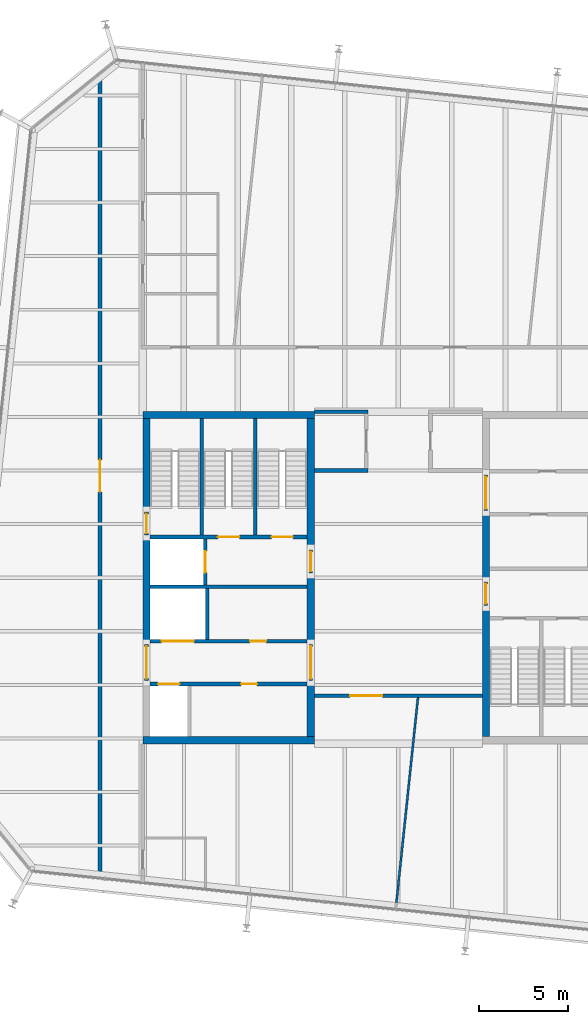
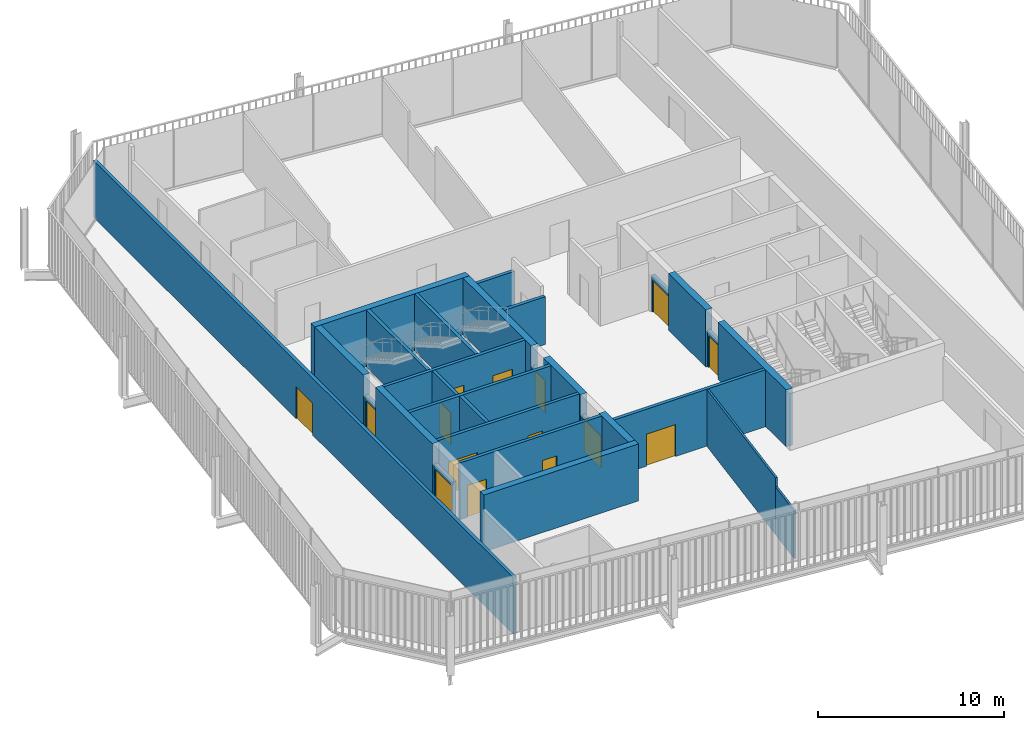
# One storey, part 16 of 20: 29 walls, 15 doors, 15 openings.
"""IFC4 building model written with IfcOpenShell, lengths in metres."""

from ifc_helpers import new_model, si_unit, direction, frame, frame_2d, origin, place, context, subcontext, project, spatial, rectangle, extrude, material, layer, layer_set, type_object, element, fill, save


model = new_model("IFC4")

# Units and contexts
model_context = context("Model", 3, precision=1e-05, world=origin(), true_north=direction((0.0, 1.0)))
body_context = subcontext(model_context, "Body", "Model", "MODEL_VIEW")
ifc_project = project(units=[si_unit("LENGTHUNIT", "METRE"), si_unit("AREAUNIT", "SQUARE_METRE"), si_unit("VOLUMEUNIT", "CUBIC_METRE"), si_unit("PLANEANGLEUNIT", "RADIAN"), si_unit("MASSUNIT", "GRAM", prefix="KILO")], contexts=[model_context])

# Site, building, storey
site_placement = place(None, origin())
site = spatial("IfcSite", under=ifc_project, at=site_placement, CompositionType="ELEMENT")
building_placement = place(site_placement, origin())
building = spatial("IfcBuilding", under=site, at=building_placement, Name="Millrace Tower", CompositionType="ELEMENT")
storey_placement = place(building_placement, frame((0.0, 0.0, 330.39990234375)))
storey = spatial("IfcBuildingStorey", under=building, at=storey_placement, Name="L76", CompositionType="ELEMENT", Elevation=330.39990234375)

# Walls
ifc_material_1 = material(Name="Concrete C60", Category="concrete")
ifc_layer_1 = layer(ifc_material_1, 0.39990234375)
ifc_layer_set_1 = layer_set([ifc_layer_1], Name="Concrete C60")
wall_type_1 = type_object("IfcWallType", Name="Core wall 400 Concrete C60", PredefinedType="SHEAR", material=ifc_layer_set_1)
for number, where, z_axis, x_axis, name in (
    (1, (-14.300048828125, -9.10009765625, 0.0), (0.0, 0.0, 1.0), (1.0, 0.0, 0.0), "Core wall W L76"),
    (2, (-14.300048828125, 9.10009765625, 0.0), (0.0, 0.0, 1.0), (1.0, 0.0, 0.0), "Core wall W L76"),
):
    element("IfcWall", number, at=place(storey_placement, frame(where, z_axis=z_axis, x_axis=x_axis)), inside=storey, type_object=wall_type_1, Name=name, PredefinedType="SHEAR", context=body_context, shape_type="SweptSolid", body=[
        extrude(rectangle(XDim=9.60009765625, YDim=0.39990234375, at=frame_2d((4.800048828125, 0.0))), origin(), (0.0, 0.0, 1.0), 3.739990234375),
    ])
wall_1_placement = place(storey_placement, frame((-14.10009765625, -3.75, 0.0), z_axis=(0.0, 0.0, 1.0), x_axis=(0.0, 1.0, 0.0)))
element("IfcWall", 3, at=wall_1_placement, inside=storey, type_object=wall_type_1, Name="Core wall W L76", PredefinedType="SHEAR", context=body_context, shape_type="SweptSolid", body=[
    extrude(rectangle(XDim=6.1298828125, YDim=0.39990234375, at=frame_2d((3.06494140625, 0.0))), origin(), (0.0, 0.0, 1.0), 3.739990234375),
])
wall_2_placement = place(storey_placement, frame((-14.10009765625, 3.679931640625, 0.0), z_axis=(0.0, 0.0, 1.0), x_axis=(0.0, 1.0, 0.0)))
element("IfcWall", 4, at=wall_2_placement, inside=storey, type_object=wall_type_1, Name="Core wall W L76", PredefinedType="SHEAR", context=body_context, shape_type="SweptSolid", body=[
    extrude(rectangle(XDim=5.219970703125, YDim=0.39990234375, at=frame_2d((2.60986328125, 0.0))), origin(), (0.0, 0.0, 1.0), 3.739990234375),
])
wall_3_placement = place(storey_placement, frame((-4.89990234375, -8.89990234375, 0.0), z_axis=(0.0, 0.0, 1.0), x_axis=(0.0, 1.0, 0.0)))
element("IfcWall", 5, at=wall_3_placement, inside=storey, type_object=wall_type_1, Name="Core wall W L76", PredefinedType="SHEAR", context=body_context, shape_type="SweptSolid", body=[
    extrude(rectangle(XDim=3.14990234375, YDim=0.39990234375, at=frame_2d((1.574951171875, 0.0))), origin(), (0.0, 0.0, 1.0), 3.739990234375),
])
wall_4_placement = place(storey_placement, frame((-4.89990234375, -3.75, 0.0), z_axis=(0.0, 0.0, 1.0), x_axis=(0.0, 1.0, 0.0)))
element("IfcWall", 6, at=wall_4_placement, inside=storey, type_object=wall_type_1, Name="Core wall W L76", PredefinedType="SHEAR", context=body_context, shape_type="SweptSolid", body=[
    extrude(rectangle(XDim=4.0, YDim=0.39990234375, at=frame_2d((2.0, 0.0))), origin(), (0.0, 0.0, 1.0), 3.739990234375),
])
wall_5_placement = place(storey_placement, frame((-4.89990234375, 1.550048828125, 0.0), z_axis=(0.0, 0.0, 1.0), x_axis=(0.0, 1.0, 0.0)))
element("IfcWall", 7, at=wall_5_placement, inside=storey, type_object=wall_type_1, Name="Core wall W L76", PredefinedType="SHEAR", context=body_context, shape_type="SweptSolid", body=[
    extrude(rectangle(XDim=7.349853515625, YDim=0.39990234375, at=frame_2d((3.6748046875, 0.0))), origin(), (0.0, 0.0, 1.0), 3.739990234375),
])
wall_6_placement = place(storey_placement, frame((4.89990234375, 3.75, 0.0), z_axis=(0.0, 0.0, 1.0), x_axis=(0.0, -1.0, 0.0)))
element("IfcWall", 8, at=wall_6_placement, inside=storey, type_object=wall_type_1, Name="Core wall E L76", PredefinedType="SHEAR", context=body_context, shape_type="SweptSolid", body=[
    extrude(rectangle(XDim=4.0, YDim=0.39990234375, at=frame_2d((2.0, 0.0))), origin(), (0.0, 0.0, 1.0), 3.739990234375),
])
wall_7_placement = place(storey_placement, frame((4.89990234375, -1.550048828125, 0.0), z_axis=(0.0, 0.0, 1.0), x_axis=(0.0, -1.0, 0.0)))
element("IfcWall", 9, at=wall_7_placement, inside=storey, type_object=wall_type_1, Name="Core wall E L76", PredefinedType="SHEAR", context=body_context, shape_type="SweptSolid", body=[
    extrude(rectangle(XDim=7.349853515625, YDim=0.39990234375, at=frame_2d((3.6748046875, 0.0))), origin(), (0.0, 0.0, 1.0), 3.739990234375),
])

# Wall, opening, door
ifc_material_2 = material(Name="Masonry partition, fire-rated", Category="masonry")
ifc_layer_2 = layer(ifc_material_2, 0.199951171875)
ifc_layer_set_2 = layer_set([ifc_layer_2], Name="Masonry partition, fire-rated")
wall_type_2 = type_object("IfcWallType", Name="Corridor wall 200", PredefinedType="PARTITIONING", material=ifc_layer_set_2)
wall_8_placement = place(storey_placement, frame((-4.699951171875, -6.60009765625, 0.0), z_axis=(0.0, 0.0, 1.0), x_axis=(1.0, 0.0, 0.0)))
wall_8 = element("IfcWall", 10, at=wall_8_placement, inside=storey, type_object=wall_type_2, Name="Corridor wall L76", PredefinedType="PARTITIONING", context=body_context, shape_type="SweptSolid", body=[
    extrude(rectangle(XDim=9.39990234375, YDim=0.199951171875, at=frame_2d((4.699951171875, 0.0))), origin(), (0.0, 0.0, 1.0), 3.739990234375),
])
opening_1_placement = place(wall_8_placement, frame((2.0048828125, 0.0, 0.0)))
opening_1 = element("IfcOpeningElement", 11, at=opening_1_placement, cuts=wall_8, Name="Opening 76-P012", PredefinedType="OPENING", context=body_context, shape_type="SweptSolid", body=[
    extrude(rectangle(XDim=1.800048828125, YDim=2.10009765625, at=frame_2d((0.89990234375, 1.050048828125))), frame((0.0, 0.10986328125, 0.0), z_axis=(0.0, -1.0, 0.0), x_axis=(1.0, 0.0, 0.0)), (0.0, 0.0, 1.0), 0.219970703125),
])
ifc_material_3 = material(Name="Steel door set, fire-rated", Category="steel")
door_type_1 = type_object("IfcDoorType", Name="Corridor door 1800 x 2100", OperationType="DOUBLE_DOOR_SINGLE_SWING", PredefinedType="DOOR", material=ifc_material_3)
door_1_placement = place(opening_1_placement, frame((1.800048828125, 0.0, 0.0), z_axis=(0.0, 0.0, 1.0), x_axis=(-1.0, 0.0, 0.0)))
door_1 = element("IfcDoor", 12, at=door_1_placement, inside=storey, type_object=door_type_1, Name="Door 76-P012", OperationType="DOUBLE_DOOR_SINGLE_SWING", OverallHeight=2.10009765625, OverallWidth=1.800048828125, PredefinedType="DOOR", context=body_context, shape_type="SweptSolid", body=[
    extrude(rectangle(XDim=1.800048828125, YDim=2.10009765625, at=frame_2d((0.89990234375, 1.050048828125))), frame((0.0, 0.02490234375, 0.0), z_axis=(0.0, -1.0, 0.0), x_axis=(1.0, 0.0, 0.0)), (0.0, 0.0, 1.0), 0.050048828125),
])
fill(opening_1, door_1)

# Walls
wall_9_placement = place(storey_placement, frame((-4.699951171875, 6.0, 0.0), z_axis=(0.0, 0.0, 1.0), x_axis=(1.0, 0.0, 0.0)))
element("IfcWall", 13, at=wall_9_placement, inside=storey, type_object=wall_type_2, Name="Corridor wall L76", PredefinedType="PARTITIONING", context=body_context, shape_type="SweptSolid", body=[
    extrude(rectangle(XDim=3.0, YDim=0.199951171875, at=frame_2d((1.5, 0.0))), origin(), (0.0, 0.0, 1.0), 3.140625),
])
wall_10_placement = place(storey_placement, frame((-4.699951171875, 9.300048828125, 0.0), z_axis=(0.0, 0.0, 1.0), x_axis=(1.0, 0.0, 0.0)))
element("IfcWall", 14, at=wall_10_placement, inside=storey, type_object=wall_type_2, Name="Corridor wall L76", PredefinedType="PARTITIONING", context=body_context, shape_type="SweptSolid", body=[
    extrude(rectangle(XDim=3.0, YDim=0.199951171875, at=frame_2d((1.5, 0.0))), origin(), (0.0, 0.0, 1.0), 2.81298828125),
])

# Wall, opening, door
wall_11_placement = place(storey_placement, frame((-16.699951171875, -16.779296875, 0.0), z_axis=(0.0, 0.0, 1.0), x_axis=(0.0, 1.0, 0.0)))
wall_11 = element("IfcWall", 15, at=wall_11_placement, inside=storey, type_object=wall_type_2, Name="Corridor wall L76", PredefinedType="PARTITIONING", context=body_context, shape_type="SweptSolid", body=[
    extrude(rectangle(XDim=45.16943359375, YDim=0.199951171875, at=frame_2d((22.584716796875, 0.0))), origin(), (0.0, 0.0, 1.0), 3.739990234375),
])
opening_2_placement = place(wall_11_placement, frame((21.57763671875, 0.0, 0.0)))
opening_2 = element("IfcOpeningElement", 16, at=opening_2_placement, cuts=wall_11, Name="Opening 76-P003", PredefinedType="OPENING", context=body_context, shape_type="SweptSolid", body=[
    extrude(rectangle(XDim=1.800048828125, YDim=2.10009765625, at=frame_2d((0.89990234375, 1.050048828125))), frame((0.0, 0.10986328125, 0.0), z_axis=(0.0, -1.0, 0.0), x_axis=(1.0, 0.0, 0.0)), (0.0, 0.0, 1.0), 0.219970703125),
])
door_2_placement = place(opening_2_placement, frame((1.800048828125, 0.0, 0.0), z_axis=(0.0, 0.0, 1.0), x_axis=(-1.0, 0.0, 0.0)))
door_2 = element("IfcDoor", 17, at=door_2_placement, inside=storey, type_object=door_type_1, Name="Door 76-P003", OperationType="DOUBLE_DOOR_SINGLE_SWING", OverallHeight=2.10009765625, OverallWidth=1.800048828125, PredefinedType="DOOR", context=body_context, shape_type="SweptSolid", body=[
    extrude(rectangle(XDim=1.800048828125, YDim=2.10009765625, at=frame_2d((0.89990234375, 1.050048828125))), frame((0.0, 0.02490234375, 0.0), z_axis=(0.0, -1.0, 0.0), x_axis=(1.0, 0.0, 0.0)), (0.0, 0.0, 1.0), 0.050048828125),
])
fill(opening_2, door_2)

# Wall, openings, doors
ifc_material_4 = material(Name="Masonry partition, fire-rated", Category="masonry")
ifc_layer_3 = layer(ifc_material_4, 0.199951171875)
ifc_layer_set_3 = layer_set([ifc_layer_3], Name="Masonry partition, fire-rated")
wall_type_3 = type_object("IfcWallType", Name="Lift shaft wall 200", PredefinedType="PARTITIONING", material=ifc_layer_set_3)
wall_12_placement = place(storey_placement, frame((-13.89990234375, -5.949951171875, 0.0), z_axis=(0.0, 0.0, 1.0), x_axis=(1.0, 0.0, 0.0)))
wall_12 = element("IfcWall", 18, at=wall_12_placement, inside=storey, type_object=wall_type_3, Name="Lift shaft wall W L76", PredefinedType="PARTITIONING", context=body_context, shape_type="SweptSolid", body=[
    extrude(rectangle(XDim=8.7998046875, YDim=0.199951171875, at=frame_2d((4.39990234375, 0.0))), origin(), (0.0, 0.0, 1.0), 3.739990234375),
])
opening_3_placement = place(wall_12_placement, frame((0.449951171875, 0.0, 0.0)))
opening_3 = element("IfcOpeningElement", 19, at=opening_3_placement, cuts=wall_12, Name="Opening 76-LD01", PredefinedType="OPENING", context=body_context, shape_type="SweptSolid", body=[
    extrude(rectangle(XDim=1.199951171875, YDim=2.10009765625, at=frame_2d((0.60009765625, 1.050048828125))), frame((0.0, 0.10986328125, 0.0), z_axis=(0.0, -1.0, 0.0), x_axis=(1.0, 0.0, 0.0)), (0.0, 0.0, 1.0), 0.219970703125),
])
opening_4_placement = place(wall_12_placement, frame((5.10009765625, 0.0, 0.0)))
opening_4 = element("IfcOpeningElement", 20, at=opening_4_placement, cuts=wall_12, Name="Opening 76-C005", PredefinedType="OPENING", context=body_context, shape_type="SweptSolid", body=[
    extrude(rectangle(XDim=0.89990234375, YDim=2.10009765625, at=frame_2d((0.449951171875, 1.050048828125))), frame((0.0, 0.10986328125, 0.0), z_axis=(0.0, -1.0, 0.0), x_axis=(1.0, 0.0, 0.0)), (0.0, 0.0, 1.0), 0.219970703125),
])
ifc_material_5 = material(Name="Stainless steel, fire-rated", Category="steel")
door_type_2 = type_object("IfcDoorType", Name="Lift landing door 1200 x 2100", OperationType="DOUBLE_DOOR_SLIDING", PredefinedType="DOOR", material=ifc_material_5)
door_3_placement = place(opening_3_placement, origin())
door_3 = element("IfcDoor", 21, at=door_3_placement, inside=storey, type_object=door_type_2, Name="Lift landing door LF1 L76", OperationType="DOUBLE_DOOR_SLIDING", OverallHeight=2.10009765625, OverallWidth=1.199951171875, PredefinedType="DOOR", context=body_context, shape_type="SweptSolid", body=[
    extrude(rectangle(XDim=1.199951171875, YDim=2.10009765625, at=frame_2d((0.60009765625, 1.050048828125))), frame((0.0, 0.02490234375, 0.0), z_axis=(0.0, -1.0, 0.0), x_axis=(1.0, 0.0, 0.0)), (0.0, 0.0, 1.0), 0.050048828125),
])
fill(opening_3, door_3)
ifc_material_6 = material(Name="Steel door, fire-rated", Category="steel")
door_type_3 = type_object("IfcDoorType", Name="Service room door 900 x 2100", OperationType="SINGLE_SWING_LEFT", PredefinedType="DOOR", material=ifc_material_6)
door_4_placement = place(opening_4_placement, frame((0.89990234375, 0.0, 0.0), z_axis=(0.0, 0.0, 1.0), x_axis=(-1.0, 0.0, 0.0)))
door_4 = element("IfcDoor", 22, at=door_4_placement, inside=storey, type_object=door_type_3, Name="Service room door 76-C005", OperationType="SINGLE_SWING_LEFT", OverallHeight=2.10009765625, OverallWidth=0.89990234375, PredefinedType="DOOR", context=body_context, shape_type="SweptSolid", body=[
    extrude(rectangle(XDim=0.89990234375, YDim=2.10009765625, at=frame_2d((0.449951171875, 1.050048828125))), frame((0.0, 0.02490234375, 0.0), z_axis=(0.0, -1.0, 0.0), x_axis=(1.0, 0.0, 0.0)), (0.0, 0.0, 1.0), 0.050048828125),
])
fill(opening_4, door_4)

wall_13_placement = place(storey_placement, frame((-13.89990234375, -3.550048828125, 0.0), z_axis=(0.0, 0.0, 1.0), x_axis=(1.0, 0.0, 0.0)))
wall_13 = element("IfcWall", 23, at=wall_13_placement, inside=storey, type_object=wall_type_3, Name="Lift shaft wall W L76", PredefinedType="PARTITIONING", context=body_context, shape_type="SweptSolid", body=[
    extrude(rectangle(XDim=8.7998046875, YDim=0.199951171875, at=frame_2d((4.39990234375, 0.0))), origin(), (0.0, 0.0, 1.0), 3.739990234375),
])
opening_5_placement = place(wall_13_placement, frame((0.64990234375, 0.0, 0.0)))
opening_5 = element("IfcOpeningElement", 24, at=opening_5_placement, cuts=wall_13, Name="Opening 76-LD05", PredefinedType="OPENING", context=body_context, shape_type="SweptSolid", body=[
    extrude(rectangle(XDim=1.800048828125, YDim=2.10009765625, at=frame_2d((0.89990234375, 1.050048828125))), frame((0.0, 0.10986328125, 0.0), z_axis=(0.0, -1.0, 0.0), x_axis=(1.0, 0.0, 0.0)), (0.0, 0.0, 1.0), 0.219970703125),
])
opening_6_placement = place(wall_13_placement, frame((5.60009765625, 0.0, 0.0)))
opening_6 = element("IfcOpeningElement", 25, at=opening_6_placement, cuts=wall_13, Name="Opening 76-C006", PredefinedType="OPENING", context=body_context, shape_type="SweptSolid", body=[
    extrude(rectangle(XDim=0.89990234375, YDim=2.10009765625, at=frame_2d((0.449951171875, 1.050048828125))), frame((0.0, 0.10986328125, 0.0), z_axis=(0.0, -1.0, 0.0), x_axis=(1.0, 0.0, 0.0)), (0.0, 0.0, 1.0), 0.219970703125),
])
ifc_material_7 = material(Name="Stainless steel, fire-rated", Category="steel")
door_type_4 = type_object("IfcDoorType", Name="Lift landing door 1800 x 2100", OperationType="DOUBLE_DOOR_SLIDING", PredefinedType="DOOR", material=ifc_material_7)
door_5_placement = place(opening_5_placement, origin())
door_5 = element("IfcDoor", 26, at=door_5_placement, inside=storey, type_object=door_type_4, Name="Lift landing door LF5 L76", OperationType="DOUBLE_DOOR_SLIDING", OverallHeight=2.10009765625, OverallWidth=1.800048828125, PredefinedType="DOOR", context=body_context, shape_type="SweptSolid", body=[
    extrude(rectangle(XDim=1.800048828125, YDim=2.10009765625, at=frame_2d((0.89990234375, 1.050048828125))), frame((0.0, 0.02490234375, 0.0), z_axis=(0.0, -1.0, 0.0), x_axis=(1.0, 0.0, 0.0)), (0.0, 0.0, 1.0), 0.050048828125),
])
fill(opening_5, door_5)
door_6_placement = place(opening_6_placement, origin())
door_6 = element("IfcDoor", 27, at=door_6_placement, inside=storey, type_object=door_type_3, Name="Service room door 76-C006", OperationType="SINGLE_SWING_RIGHT", OverallHeight=2.10009765625, OverallWidth=0.89990234375, PredefinedType="DOOR", context=body_context, shape_type="SweptSolid", body=[
    extrude(rectangle(XDim=0.89990234375, YDim=2.10009765625, at=frame_2d((0.449951171875, 1.050048828125))), frame((0.0, 0.02490234375, 0.0), z_axis=(0.0, -1.0, 0.0), x_axis=(1.0, 0.0, 0.0)), (0.0, 0.0, 1.0), 0.050048828125),
])
fill(opening_6, door_6)

# Wall
wall_14_placement = place(storey_placement, frame((-13.89990234375, -0.5, 0.0), z_axis=(0.0, 0.0, 1.0), x_axis=(1.0, 0.0, 0.0)))
element("IfcWall", 28, at=wall_14_placement, inside=storey, type_object=wall_type_3, Name="Lift shaft wall W L76", PredefinedType="PARTITIONING", context=body_context, shape_type="SweptSolid", body=[
    extrude(rectangle(XDim=8.7998046875, YDim=0.199951171875, at=frame_2d((4.39990234375, 0.0))), origin(), (0.0, 0.0, 1.0), 3.739990234375),
])

# Wall, opening, door
wall_15_placement = place(storey_placement, frame((-10.800048828125, -0.39990234375, 0.0), z_axis=(0.0, 0.0, 1.0), x_axis=(0.0, 1.0, 0.0)))
wall_15 = element("IfcWall", 29, at=wall_15_placement, inside=storey, type_object=wall_type_3, Name="Lift shaft wall W L76", PredefinedType="PARTITIONING", context=body_context, shape_type="SweptSolid", body=[
    extrude(rectangle(XDim=2.579833984375, YDim=0.199951171875, at=frame_2d((1.2900390625, 0.0))), origin(), (0.0, 0.0, 1.0), 3.739990234375),
])
opening_7_placement = place(wall_15_placement, frame((0.68994140625, 0.0, 0.0)))
opening_7 = element("IfcOpeningElement", 30, at=opening_7_placement, cuts=wall_15, Name="Opening 76-LD08", PredefinedType="OPENING", context=body_context, shape_type="SweptSolid", body=[
    extrude(rectangle(XDim=1.199951171875, YDim=2.10009765625, at=frame_2d((0.60009765625, 1.050048828125))), frame((0.0, 0.10986328125, 0.0), z_axis=(0.0, -1.0, 0.0), x_axis=(1.0, 0.0, 0.0)), (0.0, 0.0, 1.0), 0.219970703125),
])
door_7_placement = place(opening_7_placement, origin())
door_7 = element("IfcDoor", 31, at=door_7_placement, inside=storey, type_object=door_type_2, Name="Lift landing door LF8 L76", OperationType="DOUBLE_DOOR_SLIDING", OverallHeight=2.10009765625, OverallWidth=1.199951171875, PredefinedType="DOOR", context=body_context, shape_type="SweptSolid", body=[
    extrude(rectangle(XDim=1.199951171875, YDim=2.10009765625, at=frame_2d((0.60009765625, 1.050048828125))), frame((0.0, 0.02490234375, 0.0), z_axis=(0.0, -1.0, 0.0), x_axis=(1.0, 0.0, 0.0)), (0.0, 0.0, 1.0), 0.050048828125),
])
fill(opening_7, door_7)

# Wall
wall_16_placement = place(storey_placement, frame((-10.699951171875, -3.449951171875, 0.0), z_axis=(0.0, 0.0, 1.0), x_axis=(0.0, 1.0, 0.0)))
element("IfcWall", 32, at=wall_16_placement, inside=storey, type_object=wall_type_3, Name="Lift shaft wall W L76", PredefinedType="PARTITIONING", context=body_context, shape_type="SweptSolid", body=[
    extrude(rectangle(XDim=2.849853515625, YDim=0.199951171875, at=frame_2d((1.4248046875, 0.0))), origin(), (0.0, 0.0, 1.0), 3.739990234375),
])

# Wall, opening, door
ifc_material_8 = material(Name="Masonry partition, fire-rated", Category="masonry")
ifc_layer_4 = layer(ifc_material_8, 0.199951171875)
ifc_layer_set_4 = layer_set([ifc_layer_4], Name="Masonry partition, fire-rated")
wall_type_4 = type_object("IfcWallType", Name="Lobby wall 200", PredefinedType="PARTITIONING", material=ifc_layer_set_4)
wall_17_placement = place(storey_placement, frame((-14.10009765625, -5.75, 0.0), z_axis=(0.0, 0.0, 1.0), x_axis=(0.0, 1.0, 0.0)))
wall_17 = element("IfcWall", 33, at=wall_17_placement, inside=storey, type_object=wall_type_4, Name="Lobby wall W L76", PredefinedType="PARTITIONING", context=body_context, shape_type="SweptSolid", body=[
    extrude(rectangle(XDim=2.0, YDim=0.199951171875, at=frame_2d((1.0, 0.0))), origin(), (0.0, 0.0, 1.0), 2.400146484375),
])
opening_8_placement = place(wall_17_placement, frame((0.10009765625, 0.0, 0.0)))
opening_8 = element("IfcOpeningElement", 34, at=opening_8_placement, cuts=wall_17, Name="Opening 76-C001", PredefinedType="OPENING", context=body_context, shape_type="SweptSolid", body=[
    extrude(rectangle(XDim=1.800048828125, YDim=2.10009765625, at=frame_2d((0.89990234375, 1.050048828125))), frame((0.0, 0.10986328125, 0.0), z_axis=(0.0, -1.0, 0.0), x_axis=(1.0, 0.0, 0.0)), (0.0, 0.0, 1.0), 0.219970703125),
])
ifc_material_9 = material(Name="Steel door, fire-rated", Category="steel")
door_type_5 = type_object("IfcDoorType", Name="Lobby door 1800 x 2100", OperationType="DOUBLE_DOOR_SINGLE_SWING", PredefinedType="DOOR", material=ifc_material_9)
door_8_placement = place(opening_8_placement, origin())
door_8 = element("IfcDoor", 35, at=door_8_placement, inside=storey, type_object=door_type_5, Name="Lobby door 76-C001", OperationType="DOUBLE_DOOR_SINGLE_SWING", OverallHeight=2.10009765625, OverallWidth=1.800048828125, PredefinedType="DOOR", context=body_context, shape_type="SweptSolid", body=[
    extrude(rectangle(XDim=1.800048828125, YDim=2.10009765625, at=frame_2d((0.89990234375, 1.050048828125))), frame((0.0, 0.02490234375, 0.0), z_axis=(0.0, -1.0, 0.0), x_axis=(1.0, 0.0, 0.0)), (0.0, 0.0, 1.0), 0.050048828125),
])
fill(opening_8, door_8)

wall_18_placement = place(storey_placement, frame((-4.89990234375, -5.75, 0.0), z_axis=(0.0, 0.0, 1.0), x_axis=(0.0, 1.0, 0.0)))
wall_18 = element("IfcWall", 36, at=wall_18_placement, inside=storey, type_object=wall_type_4, Name="Lobby wall W L76", PredefinedType="PARTITIONING", context=body_context, shape_type="SweptSolid", body=[
    extrude(rectangle(XDim=2.0, YDim=0.199951171875, at=frame_2d((1.0, 0.0))), origin(), (0.0, 0.0, 1.0), 2.400146484375),
])
opening_9_placement = place(wall_18_placement, frame((0.10009765625, 0.0, 0.0)))
opening_9 = element("IfcOpeningElement", 37, at=opening_9_placement, cuts=wall_18, Name="Opening 76-C003", PredefinedType="OPENING", context=body_context, shape_type="SweptSolid", body=[
    extrude(rectangle(XDim=1.800048828125, YDim=2.10009765625, at=frame_2d((0.89990234375, 1.050048828125))), frame((0.0, 0.10986328125, 0.0), z_axis=(0.0, -1.0, 0.0), x_axis=(1.0, 0.0, 0.0)), (0.0, 0.0, 1.0), 0.219970703125),
])
door_9_placement = place(opening_9_placement, frame((1.800048828125, 0.0, 0.0), z_axis=(0.0, 0.0, 1.0), x_axis=(-1.0, 0.0, 0.0)))
door_9 = element("IfcDoor", 38, at=door_9_placement, inside=storey, type_object=door_type_5, Name="Lobby door 76-C003", OperationType="DOUBLE_DOOR_SINGLE_SWING", OverallHeight=2.10009765625, OverallWidth=1.800048828125, PredefinedType="DOOR", context=body_context, shape_type="SweptSolid", body=[
    extrude(rectangle(XDim=1.800048828125, YDim=2.10009765625, at=frame_2d((0.89990234375, 1.050048828125))), frame((0.0, 0.02490234375, 0.0), z_axis=(0.0, -1.0, 0.0), x_axis=(1.0, 0.0, 0.0)), (0.0, 0.0, 1.0), 0.050048828125),
])
fill(opening_9, door_9)

wall_19_placement = place(storey_placement, frame((-4.89990234375, 0.25, 0.0), z_axis=(0.0, 0.0, 1.0), x_axis=(0.0, 1.0, 0.0)))
wall_19 = element("IfcWall", 39, at=wall_19_placement, inside=storey, type_object=wall_type_4, Name="Lobby wall W L76", PredefinedType="PARTITIONING", context=body_context, shape_type="SweptSolid", body=[
    extrude(rectangle(XDim=1.300048828125, YDim=0.199951171875, at=frame_2d((0.64990234375, 0.0))), origin(), (0.0, 0.0, 1.0), 2.400146484375),
])
opening_10_placement = place(wall_19_placement, frame((0.10009765625, 0.0, 0.0)))
opening_10 = element("IfcOpeningElement", 40, at=opening_10_placement, cuts=wall_19, Name="Opening 76-C004", PredefinedType="OPENING", context=body_context, shape_type="SweptSolid", body=[
    extrude(rectangle(XDim=1.10009765625, YDim=2.10009765625, at=frame_2d((0.550048828125, 1.050048828125))), frame((0.0, 0.10986328125, 0.0), z_axis=(0.0, -1.0, 0.0), x_axis=(1.0, 0.0, 0.0)), (0.0, 0.0, 1.0), 0.219970703125),
])
ifc_material_10 = material(Name="Steel door, fire-rated", Category="steel")
door_type_6 = type_object("IfcDoorType", Name="Lobby door 1100 x 2100", OperationType="SINGLE_SWING_LEFT", PredefinedType="DOOR", material=ifc_material_10)
door_10_placement = place(opening_10_placement, frame((1.10009765625, 0.0, 0.0), z_axis=(0.0, 0.0, 1.0), x_axis=(-1.0, 0.0, 0.0)))
door_10 = element("IfcDoor", 41, at=door_10_placement, inside=storey, type_object=door_type_6, Name="Lobby door 76-C004", OperationType="SINGLE_SWING_RIGHT", OverallHeight=2.10009765625, OverallWidth=1.10009765625, PredefinedType="DOOR", context=body_context, shape_type="SweptSolid", body=[
    extrude(rectangle(XDim=1.10009765625, YDim=2.10009765625, at=frame_2d((0.550048828125, 1.050048828125))), frame((0.0, 0.02490234375, 0.0), z_axis=(0.0, -1.0, 0.0), x_axis=(1.0, 0.0, 0.0)), (0.0, 0.0, 1.0), 0.050048828125),
])
fill(opening_10, door_10)

wall_20_placement = place(storey_placement, frame((4.89990234375, 5.75, 0.0), z_axis=(0.0, 0.0, 1.0), x_axis=(0.0, -1.0, 0.0)))
wall_20 = element("IfcWall", 42, at=wall_20_placement, inside=storey, type_object=wall_type_4, Name="Lobby wall E L76", PredefinedType="PARTITIONING", context=body_context, shape_type="SweptSolid", body=[
    extrude(rectangle(XDim=2.0, YDim=0.199951171875, at=frame_2d((1.0, 0.0))), origin(), (0.0, 0.0, 1.0), 2.400146484375),
])
opening_11_placement = place(wall_20_placement, frame((0.10009765625, 0.0, 0.0)))
opening_11 = element("IfcOpeningElement", 43, at=opening_11_placement, cuts=wall_20, Name="Opening 76-C011", PredefinedType="OPENING", context=body_context, shape_type="SweptSolid", body=[
    extrude(rectangle(XDim=1.800048828125, YDim=2.10009765625, at=frame_2d((0.89990234375, 1.050048828125))), frame((0.0, 0.10986328125, 0.0), z_axis=(0.0, -1.0, 0.0), x_axis=(1.0, 0.0, 0.0)), (0.0, 0.0, 1.0), 0.219970703125),
])
door_11_placement = place(opening_11_placement, frame((1.800048828125, 0.0, 0.0), z_axis=(0.0, 0.0, 1.0), x_axis=(-1.0, 0.0, 0.0)))
door_11 = element("IfcDoor", 44, at=door_11_placement, inside=storey, type_object=door_type_5, Name="Lobby door 76-C011", OperationType="DOUBLE_DOOR_SINGLE_SWING", OverallHeight=2.10009765625, OverallWidth=1.800048828125, PredefinedType="DOOR", context=body_context, shape_type="SweptSolid", body=[
    extrude(rectangle(XDim=1.800048828125, YDim=2.10009765625, at=frame_2d((0.89990234375, 1.050048828125))), frame((0.0, 0.02490234375, 0.0), z_axis=(0.0, -1.0, 0.0), x_axis=(1.0, 0.0, 0.0)), (0.0, 0.0, 1.0), 0.050048828125),
])
fill(opening_11, door_11)

wall_21_placement = place(storey_placement, frame((4.89990234375, -0.25, 0.0), z_axis=(0.0, 0.0, 1.0), x_axis=(0.0, -1.0, 0.0)))
wall_21 = element("IfcWall", 45, at=wall_21_placement, inside=storey, type_object=wall_type_4, Name="Lobby wall E L76", PredefinedType="PARTITIONING", context=body_context, shape_type="SweptSolid", body=[
    extrude(rectangle(XDim=1.300048828125, YDim=0.199951171875, at=frame_2d((0.64990234375, 0.0))), origin(), (0.0, 0.0, 1.0), 2.400146484375),
])
opening_12_placement = place(wall_21_placement, frame((0.10009765625, 0.0, 0.0)))
opening_12 = element("IfcOpeningElement", 46, at=opening_12_placement, cuts=wall_21, Name="Opening 76-C012", PredefinedType="OPENING", context=body_context, shape_type="SweptSolid", body=[
    extrude(rectangle(XDim=1.10009765625, YDim=2.10009765625, at=frame_2d((0.550048828125, 1.050048828125))), frame((0.0, 0.10986328125, 0.0), z_axis=(0.0, -1.0, 0.0), x_axis=(1.0, 0.0, 0.0)), (0.0, 0.0, 1.0), 0.219970703125),
])
door_12_placement = place(opening_12_placement, frame((1.10009765625, 0.0, 0.0), z_axis=(0.0, 0.0, 1.0), x_axis=(-1.0, 0.0, 0.0)))
door_12 = element("IfcDoor", 47, at=door_12_placement, inside=storey, type_object=door_type_6, Name="Lobby door 76-C012", OperationType="SINGLE_SWING_LEFT", OverallHeight=2.10009765625, OverallWidth=1.10009765625, PredefinedType="DOOR", context=body_context, shape_type="SweptSolid", body=[
    extrude(rectangle(XDim=1.10009765625, YDim=2.10009765625, at=frame_2d((0.550048828125, 1.050048828125))), frame((0.0, 0.02490234375, 0.0), z_axis=(0.0, -1.0, 0.0), x_axis=(1.0, 0.0, 0.0)), (0.0, 0.0, 1.0), 0.050048828125),
])
fill(opening_12, door_12)

# Walls
ifc_material_11 = material(Name="Gypsum board partition")
ifc_layer_5 = layer(ifc_material_11, 0.1201171875)
ifc_layer_set_5 = layer_set([ifc_layer_5], Name="Gypsum board partition")
wall_type_5 = type_object("IfcWallType", Name="Partition wall 120", PredefinedType="PARTITIONING", material=ifc_layer_set_5)
wall_22_placement = place(storey_placement, frame((-0.10791015625, -18.193359375, 0.0), z_axis=(0.0, 0.0, 1.0), x_axis=(0.104462304408, 0.99452884672, 0.0)))
element("IfcWall", 48, at=wall_22_placement, inside=storey, type_object=wall_type_5, Name="Partition wall L76", PredefinedType="PARTITIONING", context=body_context, shape_type="SweptSolid", body=[
    extrude(rectangle(XDim=2.456298828125, YDim=0.1201171875, at=frame_2d((1.22802734375, 0.0))), origin(), (0.0, 0.0, 1.0), 3.140625),
])
wall_23_placement = place(storey_placement, frame((0.148681640625, -15.75048828125, 0.0), z_axis=(0.0, 0.0, 1.0), x_axis=(0.104487885815, 0.994526159393, 0.0)))
element("IfcWall", 49, at=wall_23_placement, inside=storey, type_object=wall_type_5, Name="Partition wall L76", PredefinedType="PARTITIONING", context=body_context, shape_type="SweptSolid", body=[
    extrude(rectangle(XDim=9.100830078125, YDim=0.1201171875, at=frame_2d((4.55029296875, 0.0))), origin(), (0.0, 0.0, 1.0), 3.739990234375),
])

# Wall, opening, door
ifc_material_12 = material(Name="Concrete C40", Category="concrete")
ifc_layer_6 = layer(ifc_material_12, 0.199951171875)
ifc_layer_set_6 = layer_set([ifc_layer_6], Name="Concrete C40")
wall_type_6 = type_object("IfcWallType", Name="Stair enclosure wall 200 Concrete C40", PredefinedType="SHEAR", material=ifc_layer_set_6)
wall_24_placement = place(storey_placement, frame((-14.10009765625, 2.3798828125, 0.0), z_axis=(0.0, 0.0, 1.0), x_axis=(0.0, 1.0, 0.0)))
wall_24 = element("IfcWall", 50, at=wall_24_placement, inside=storey, type_object=wall_type_6, Name="Stair enclosure wall W L76", PredefinedType="SHEAR", context=body_context, shape_type="SweptSolid", body=[
    extrude(rectangle(XDim=1.300048828125, YDim=0.199951171875, at=frame_2d((0.64990234375, 0.0))), origin(), (0.0, 0.0, 1.0), 2.400146484375),
])
opening_13_placement = place(wall_24_placement, frame((0.10009765625, 0.0, 0.0)))
opening_13 = element("IfcOpeningElement", 51, at=opening_13_placement, cuts=wall_24, Name="Opening 76-C002", PredefinedType="OPENING", context=body_context, shape_type="SweptSolid", body=[
    extrude(rectangle(XDim=1.10009765625, YDim=2.10009765625, at=frame_2d((0.550048828125, 1.050048828125))), frame((0.0, 0.10986328125, 0.0), z_axis=(0.0, -1.0, 0.0), x_axis=(1.0, 0.0, 0.0)), (0.0, 0.0, 1.0), 0.219970703125),
])
ifc_material_13 = material(Name="Steel door, fire-rated", Category="steel")
door_type_7 = type_object("IfcDoorType", Name="Stair door 1100 x 2100", OperationType="SINGLE_SWING_LEFT", PredefinedType="DOOR", material=ifc_material_13)
door_13_placement = place(opening_13_placement, origin())
door_13 = element("IfcDoor", 52, at=door_13_placement, inside=storey, type_object=door_type_7, Name="Stair door 76-C002", OperationType="SINGLE_SWING_RIGHT", OverallHeight=2.10009765625, OverallWidth=1.10009765625, PredefinedType="DOOR", context=body_context, shape_type="SweptSolid", body=[
    extrude(rectangle(XDim=1.10009765625, YDim=2.10009765625, at=frame_2d((0.550048828125, 1.050048828125))), frame((0.0, 0.02490234375, 0.0), z_axis=(0.0, -1.0, 0.0), x_axis=(1.0, 0.0, 0.0)), (0.0, 0.0, 1.0), 0.050048828125),
])
fill(opening_13, door_13)

# Wall, openings, doors
wall_25_placement = place(storey_placement, frame((-13.89990234375, 2.280029296875, 0.0), z_axis=(0.0, 0.0, 1.0), x_axis=(1.0, 0.0, 0.0)))
wall_25 = element("IfcWall", 53, at=wall_25_placement, inside=storey, type_object=wall_type_6, Name="Stair enclosure wall W L76", PredefinedType="SHEAR", context=body_context, shape_type="SweptSolid", body=[
    extrude(rectangle(XDim=8.7998046875, YDim=0.199951171875, at=frame_2d((4.39990234375, 0.0))), origin(), (0.0, 0.0, 1.0), 3.739990234375),
])
opening_14_placement = place(wall_25_placement, frame((3.800048828125, 0.0, 0.0)))
opening_14 = element("IfcOpeningElement", 54, at=opening_14_placement, cuts=wall_25, Name="Opening 76-C007", PredefinedType="OPENING", context=body_context, shape_type="SweptSolid", body=[
    extrude(rectangle(XDim=1.199951171875, YDim=2.10009765625, at=frame_2d((0.60009765625, 1.050048828125))), frame((0.0, 0.10986328125, 0.0), z_axis=(0.0, -1.0, 0.0), x_axis=(1.0, 0.0, 0.0)), (0.0, 0.0, 1.0), 0.219970703125),
])
opening_15_placement = place(wall_25_placement, frame((6.800048828125, 0.0, 0.0)))
opening_15 = element("IfcOpeningElement", 55, at=opening_15_placement, cuts=wall_25, Name="Opening 76-C008", PredefinedType="OPENING", context=body_context, shape_type="SweptSolid", body=[
    extrude(rectangle(XDim=1.199951171875, YDim=2.10009765625, at=frame_2d((0.60009765625, 1.050048828125))), frame((0.0, 0.10986328125, 0.0), z_axis=(0.0, -1.0, 0.0), x_axis=(1.0, 0.0, 0.0)), (0.0, 0.0, 1.0), 0.219970703125),
])
ifc_material_14 = material(Name="Steel door, fire-rated", Category="steel")
door_type_8 = type_object("IfcDoorType", Name="Stair door 1200 x 2100", OperationType="SINGLE_SWING_LEFT", PredefinedType="DOOR", material=ifc_material_14)
door_14_placement = place(opening_14_placement, frame((1.199951171875, 0.0, 0.0), z_axis=(0.0, 0.0, 1.0), x_axis=(-1.0, 0.0, 0.0)))
door_14 = element("IfcDoor", 56, at=door_14_placement, inside=storey, type_object=door_type_8, Name="Stair door 76-C007", OperationType="SINGLE_SWING_LEFT", OverallHeight=2.10009765625, OverallWidth=1.199951171875, PredefinedType="DOOR", context=body_context, shape_type="SweptSolid", body=[
    extrude(rectangle(XDim=1.199951171875, YDim=2.10009765625, at=frame_2d((0.60009765625, 1.050048828125))), frame((0.0, 0.02490234375, 0.0), z_axis=(0.0, -1.0, 0.0), x_axis=(1.0, 0.0, 0.0)), (0.0, 0.0, 1.0), 0.050048828125),
])
fill(opening_14, door_14)
door_15_placement = place(opening_15_placement, frame((1.199951171875, 0.0, 0.0), z_axis=(0.0, 0.0, 1.0), x_axis=(-1.0, 0.0, 0.0)))
door_15 = element("IfcDoor", 57, at=door_15_placement, inside=storey, type_object=door_type_8, Name="Stair door 76-C008", OperationType="SINGLE_SWING_LEFT", OverallHeight=2.10009765625, OverallWidth=1.199951171875, PredefinedType="DOOR", context=body_context, shape_type="SweptSolid", body=[
    extrude(rectangle(XDim=1.199951171875, YDim=2.10009765625, at=frame_2d((0.60009765625, 1.050048828125))), frame((0.0, 0.02490234375, 0.0), z_axis=(0.0, -1.0, 0.0), x_axis=(1.0, 0.0, 0.0)), (0.0, 0.0, 1.0), 0.050048828125),
])
fill(opening_15, door_15)

# Walls
for number, where, z_axis, x_axis, name in (
    (58, (-11.0, 2.3798828125, 0.0), (0.0, 0.0, 1.0), (0.0, 1.0, 0.0), "Stair enclosure wall W L76"),
    (59, (-8.0, 2.3798828125, 0.0), (0.0, 0.0, 1.0), (0.0, 1.0, 0.0), "Stair enclosure wall W L76"),
):
    element("IfcWall", number, at=place(storey_placement, frame(where, z_axis=z_axis, x_axis=x_axis)), inside=storey, type_object=wall_type_6, Name=name, PredefinedType="SHEAR", context=body_context, shape_type="SweptSolid", body=[
        extrude(rectangle(XDim=6.52001953125, YDim=0.199951171875, at=frame_2d((3.260009765625, 0.0))), origin(), (0.0, 0.0, 1.0), 3.739990234375),
    ])

save(model, "model.ifc")
